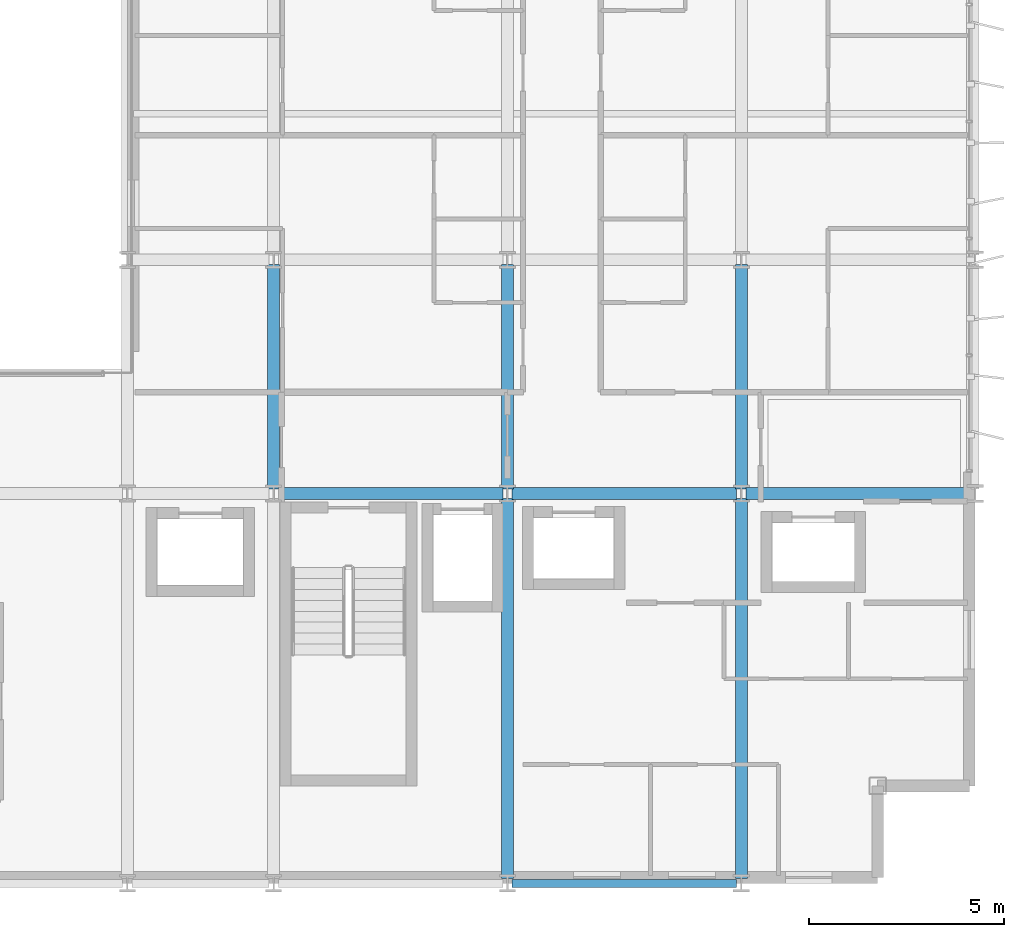
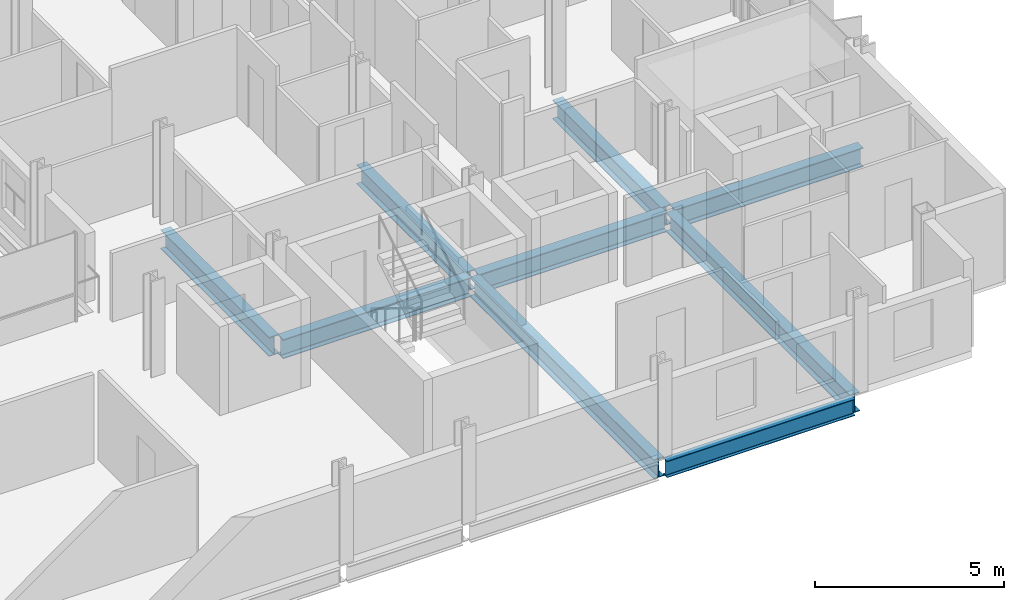
# One storey, part 14 of 39: 9 beams.
"""IFC4 building model written with IfcOpenShell, lengths in metres."""

from ifc_helpers import new_model, si_unit, direction, frame, origin, origin_2d, place, context, subcontext, project, spatial, i_section, extrude, material, material_profile, profile_set, type_object, element, save


model = new_model("IFC4")

# Units and contexts
model_context = context("Model", 3, precision=1e-05, world=origin(), true_north=direction((0.0, 1.0)))
body_context = subcontext(model_context, "Body", "Model", "MODEL_VIEW")
ifc_project = project(units=[si_unit("LENGTHUNIT", "METRE"), si_unit("AREAUNIT", "SQUARE_METRE"), si_unit("VOLUMEUNIT", "CUBIC_METRE"), si_unit("PLANEANGLEUNIT", "RADIAN"), si_unit("MASSUNIT", "GRAM", prefix="KILO")], contexts=[model_context])

# Site, building, storey
site_placement = place(None, origin())
site = spatial("IfcSite", under=ifc_project, at=site_placement, CompositionType="ELEMENT")
building_placement = place(site_placement, origin())
building = spatial("IfcBuilding", under=site, at=building_placement, Name="Brevholm Reach", CompositionType="ELEMENT")
storey_placement = place(building_placement, frame((0.0, 0.0, 77.60009765625)))
storey = spatial("IfcBuildingStorey", under=building, at=storey_placement, Name="L22", CompositionType="ELEMENT", Elevation=77.60009765625)

# Beams
ifc_material_1 = material(Name="Structural Steel S355J2", Category="steel")
ifc_material_profile_1 = material_profile(ifc_material_1, i_section(OverallWidth=0.210693359375, OverallDepth=0.53955078125, WebThickness=0.01171875, FlangeThickness=0.018798828125, FilletRadius=0.0126953125, at=origin_2d()), Name="UKB 533x210x109")
ifc_profile_set_1 = profile_set([ifc_material_profile_1], Name="Structural Steel S355J2")
beam_type_1 = type_object("IfcBeamType", Name="BM-SP539", PredefinedType="SPANDREL", material=ifc_profile_set_1)
beam_1_placement = place(storey_placement, frame((48.1201171875, 0.0, -0.499755859375), z_axis=(1.0, 0.0, 0.0), x_axis=(0.0, 1.0, 0.0)))
element("IfcBeam", 1, at=beam_1_placement, inside=storey, type_object=beam_type_1, Name="L22 SP-01B Framing Beam", PredefinedType="SPANDREL", context=body_context, shape_type="SweptSolid", body=[
    extrude(i_section(OverallWidth=0.210693359375, OverallDepth=0.53955078125, WebThickness=0.01171875, FlangeThickness=0.018798828125, FilletRadius=0.0126953125, at=origin_2d()), origin(), (0.0, 0.0, 1.0), 5.759765625),
])
ifc_material_2 = material(Name="Structural Steel S355J2", Category="steel")
ifc_material_profile_2 = material_profile(ifc_material_2, i_section(OverallWidth=0.30712890625, OverallDepth=0.6201171875, WebThickness=0.01416015625, FlangeThickness=0.023681640625, FilletRadius=0.0166015625, at=origin_2d()), Name="UKB 610x305x179")
ifc_profile_set_2 = profile_set([ifc_material_profile_2], Name="Structural Steel S355J2")
beam_type_2 = type_object("IfcBeamType", Name="BM-UKB610H", PredefinedType="USERDEFINED", material=ifc_profile_set_2)
for number, where, z_axis, x_axis, name in (
    (2, (42.1201171875, 10.0, -0.540283203125), (1.0, 0.0, 0.0), (0.0, 1.0, 0.0), "L22 G-06 Framing Beam"),
    (3, (48.1201171875, 10.0, -0.540283203125), (1.0, 0.0, 0.0), (0.0, 1.0, 0.0), "L22 G-06 Framing Beam"),
    (4, (54.1201171875, 10.0, -0.540283203125), (1.0, 0.0, 0.0), (0.0, 1.0, 0.0), "L22 G-06 Framing Beam"),
    (5, (42.0, 10.1201171875, -0.540283203125), (0.0, 1.0, 0.0), (-1.0, 0.0, 0.0), "L22 G-06 Framing Beam"),
):
    element("IfcBeam", number, at=place(storey_placement, frame(where, z_axis=z_axis, x_axis=x_axis)), inside=storey, type_object=beam_type_2, Name=name, ObjectType="GIRDER", PredefinedType="USERDEFINED", context=body_context, shape_type="SweptSolid", body=[
        extrude(i_section(OverallWidth=0.30712890625, OverallDepth=0.6201171875, WebThickness=0.01416015625, FlangeThickness=0.023681640625, FilletRadius=0.0166015625, at=origin_2d()), origin(), (0.0, 0.0, 1.0), 5.759765625),
    ])
beam_2_placement = place(storey_placement, frame((48.0, 0.1201171875, -0.540283203125), z_axis=(0.0, 1.0, 0.0), x_axis=(-1.0, 0.0, 0.0)))
element("IfcBeam", 6, at=beam_2_placement, inside=storey, type_object=beam_type_2, Name="L22 G-06 Framing Beam", ObjectType="GIRDER", PredefinedType="USERDEFINED", context=body_context, shape_type="SweptSolid", body=[
    extrude(i_section(OverallWidth=0.30712890625, OverallDepth=0.6201171875, WebThickness=0.01416015625, FlangeThickness=0.023681640625, FilletRadius=0.0166015625, at=origin_2d()), origin(), (0.0, 0.0, 1.0), 9.759765625),
])
beam_3_placement = place(storey_placement, frame((48.0, 10.1201171875, -0.540283203125), z_axis=(0.0, 1.0, 0.0), x_axis=(-1.0, 0.0, 0.0)))
element("IfcBeam", 7, at=beam_3_placement, inside=storey, type_object=beam_type_2, Name="L22 G-06 Framing Beam", ObjectType="GIRDER", PredefinedType="USERDEFINED", context=body_context, shape_type="SweptSolid", body=[
    extrude(i_section(OverallWidth=0.30712890625, OverallDepth=0.6201171875, WebThickness=0.01416015625, FlangeThickness=0.023681640625, FilletRadius=0.0166015625, at=origin_2d()), origin(), (0.0, 0.0, 1.0), 5.759765625),
])
beam_4_placement = place(storey_placement, frame((54.0, 0.1201171875, -0.540283203125), z_axis=(0.0, 1.0, 0.0), x_axis=(-1.0, 0.0, 0.0)))
element("IfcBeam", 8, at=beam_4_placement, inside=storey, type_object=beam_type_2, Name="L22 G-06 Framing Beam", ObjectType="GIRDER", PredefinedType="USERDEFINED", context=body_context, shape_type="SweptSolid", body=[
    extrude(i_section(OverallWidth=0.30712890625, OverallDepth=0.6201171875, WebThickness=0.01416015625, FlangeThickness=0.023681640625, FilletRadius=0.0166015625, at=origin_2d()), origin(), (0.0, 0.0, 1.0), 9.759765625),
])
beam_5_placement = place(storey_placement, frame((54.0, 10.1201171875, -0.540283203125), z_axis=(0.0, 1.0, 0.0), x_axis=(-1.0, 0.0, 0.0)))
element("IfcBeam", 9, at=beam_5_placement, inside=storey, type_object=beam_type_2, Name="L22 G-06 Framing Beam", ObjectType="GIRDER", PredefinedType="USERDEFINED", context=body_context, shape_type="SweptSolid", body=[
    extrude(i_section(OverallWidth=0.30712890625, OverallDepth=0.6201171875, WebThickness=0.01416015625, FlangeThickness=0.023681640625, FilletRadius=0.0166015625, at=origin_2d()), origin(), (0.0, 0.0, 1.0), 5.759765625),
])

save(model, "model.ifc")
